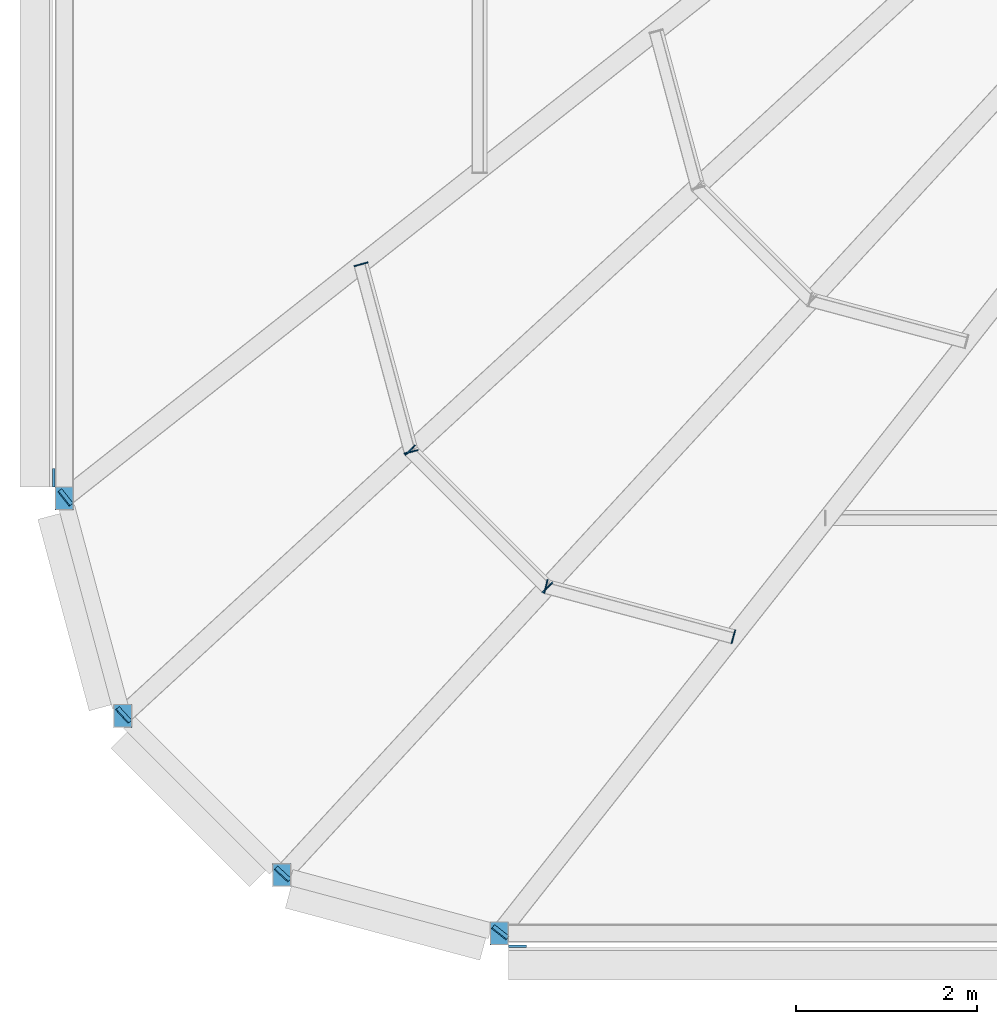
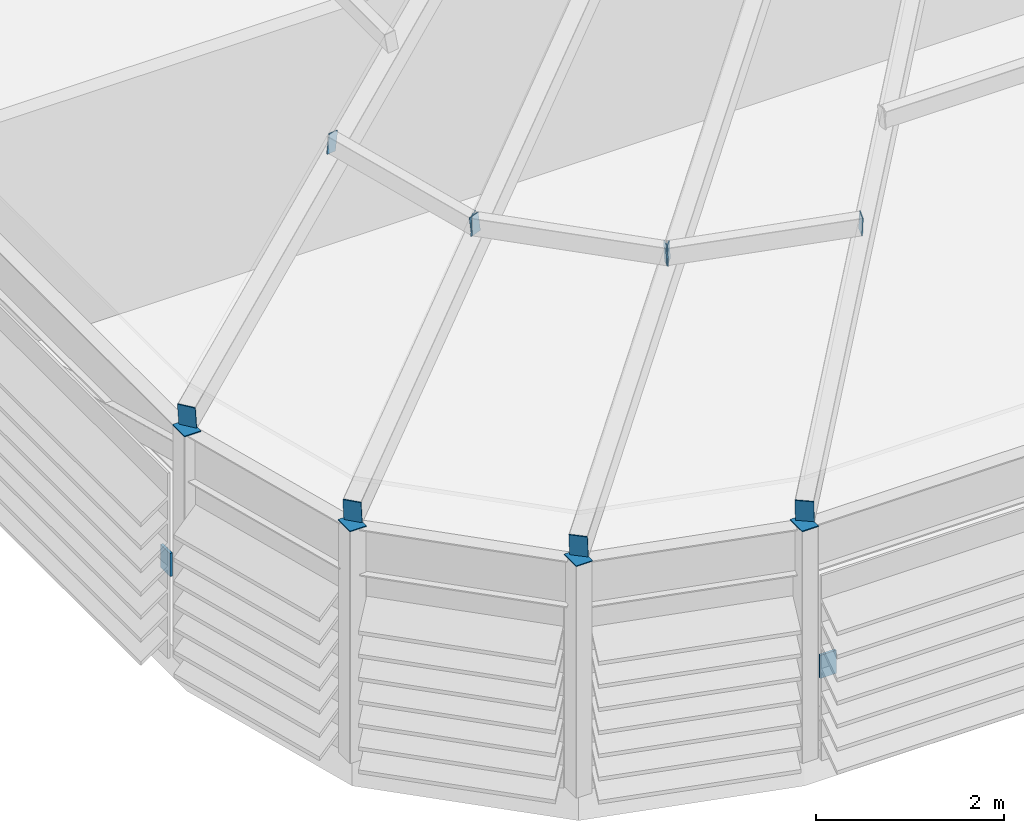
# One storey, part 23 of 46: 16 discrete accessories.
"""IFC4 building model written with IfcOpenShell, lengths in metres."""

from ifc_helpers import new_model, si_unit, direction, frame, origin, origin_2d, place, context, subcontext, project, spatial, rectangle, extrude, material, type_object, element, save


model = new_model("IFC4")

# Units and contexts
model_context = context("Model", 3, precision=1e-05, world=origin(), true_north=direction((0.0, 1.0)))
body_context = subcontext(model_context, "Body", "Model", "MODEL_VIEW")
ifc_project = project(units=[si_unit("LENGTHUNIT", "METRE"), si_unit("AREAUNIT", "SQUARE_METRE"), si_unit("VOLUMEUNIT", "CUBIC_METRE"), si_unit("PLANEANGLEUNIT", "RADIAN"), si_unit("MASSUNIT", "GRAM", prefix="KILO")], contexts=[model_context])

# Site, building, storey
site_placement = place(None, origin())
site = spatial("IfcSite", under=ifc_project, at=site_placement, CompositionType="ELEMENT")
building_placement = place(site_placement, origin())
building = spatial("IfcBuilding", under=site, at=building_placement, Name="Madar Terraces", CompositionType="ELEMENT")
storey_placement = place(building_placement, frame((0.0, 0.0, 317.300048828125)))
storey = spatial("IfcBuildingStorey", under=building, at=storey_placement, Name="L82", CompositionType="ELEMENT", Elevation=317.300048828125)

# Discrete accessories
ifc_material_1 = material(Name="Steel plate ASTM A36, galvanised", Category="steel")
discrete_accessory_type_1 = type_object("IfcDiscreteAccessoryType", Name="Hollow section end plate", PredefinedType="BRACKET", material=ifc_material_1)
for number, where, z_axis, x_axis, name in (
    (1, (6.012939453125, 1.21630859375, 3.149169921875), (-0.613267437123, -0.776805420356, -0.143095735329), (0.784882765533, -0.619644288579, 0.0), "Hollow section end plate"),
    (2, (1.21630859375, 6.012939453125, 3.149169921875), (-0.776805420356, -0.613267437123, -0.143095735329), (0.619644288579, -0.784882765533, 0.0), "Hollow section end plate"),
    (3, (1.85791015625, 3.613525390625, 3.149169921875), (-0.729696417104, -0.668888382345, -0.141885414437), (0.675724628517, -0.737154140201, 0.0), "Hollow section end plate"),
    (4, (3.613525390625, 1.85791015625, 3.149169921875), (-0.668888382345, -0.729696417104, -0.141885414437), (0.737154140201, -0.675724628517, 0.0), "Hollow section end plate"),
):
    element("IfcDiscreteAccessory", number, at=place(storey_placement, frame(where, z_axis=z_axis, x_axis=x_axis)), inside=storey, type_object=discrete_accessory_type_1, Name=name, PredefinedType="BRACKET", context=body_context, shape_type="SweptSolid", body=[
        extrude(rectangle(XDim=0.203125, YDim=0.3046875, at=origin_2d()), origin(), (0.0, 0.0, 1.0), 0.011962890625),
    ])
for number, where, z_axis, x_axis, name in (
    (5, (4.4736328125, 8.575927734375, 3.999755859375), (-0.266586054538, 0.963811120254, 0.0), (-0.95510758435, -0.264178693544, 0.13408624163), "Hollow section end plate"),
    (6, (5.02490234375, 6.518798828125, 3.999755859375), (0.242535625036, -0.970142500145, 0.0), (0.961381789769, 0.240345447442, 0.13408624163), "Hollow section end plate"),
    (7, (5.020263671875, 6.526123046875, 3.999755859375), (-0.707106781187, 0.707106781187, 0.0), (-0.700941463334, -0.700941463334, 0.131765435371), "Hollow section end plate"),
    (8, (6.526123046875, 5.020263671875, 3.999755859375), (0.707106781187, -0.707106781187, 0.0), (0.700941463334, 0.700941463334, 0.131765435371), "Hollow section end plate"),
    (9, (6.518798828125, 5.02490234375, 3.999755859375), (-0.970142500145, 0.242535625036, 0.0), (-0.240345447442, -0.961381789769, 0.13408624163), "Hollow section end plate"),
    (10, (8.575927734375, 4.4736328125, 3.999755859375), (0.963811120254, -0.266586054538, 0.0), (0.264178693544, 0.95510758435, 0.13408624163), "Hollow section end plate"),
):
    element("IfcDiscreteAccessory", number, at=place(storey_placement, frame(where, z_axis=z_axis, x_axis=x_axis)), inside=storey, type_object=discrete_accessory_type_1, Name=name, PredefinedType="BRACKET", context=body_context, shape_type="SweptSolid", body=[
        extrude(rectangle(XDim=0.126953125, YDim=0.25390625, at=origin_2d()), origin(), (0.0, 0.0, 1.0), 0.011962890625),
    ])
for number, where, z_axis, x_axis, name in (
    (11, (6.0, 1.199951171875, 3.0), (0.0, 0.0, 1.0), (1.0, 0.0, 0.0), "Hollow section end plate"),
    (12, (1.199951171875, 6.0, 3.0), (0.0, 0.0, 1.0), (1.0, 0.0, 0.0), "Hollow section end plate"),
    (13, (1.843017578125, 3.60009765625, 3.0), (0.0, 0.0, 1.0), (1.0, 0.0, 0.0), "Hollow section end plate"),
    (14, (3.60009765625, 1.843017578125, 3.0), (0.0, 0.0, 1.0), (1.0, 0.0, 0.0), "Hollow section end plate"),
):
    element("IfcDiscreteAccessory", number, at=place(storey_placement, frame(where, z_axis=z_axis, x_axis=x_axis)), inside=storey, type_object=discrete_accessory_type_1, Name=name, PredefinedType="BRACKET", context=body_context, shape_type="SweptSolid", body=[
        extrude(rectangle(XDim=0.203125, YDim=0.25390625, at=origin_2d()), origin(), (0.0, 0.0, 1.0), 0.011962890625),
    ])
ifc_material_2 = material(Name="Steel, galvanised", Category="steel")
discrete_accessory_type_2 = type_object("IfcDiscreteAccessoryType", Name="Louvre bank bracket", PredefinedType="BRACKET", material=ifc_material_2)
for number, where, z_axis, x_axis, name in (
    (15, (6.20166015625, 1.05810546875, 1.048828125), (0.0, 0.0, 1.0), (1.0, 0.0, 0.0), "Louvre bank bracket"),
    (16, (1.08349609375, 6.22705078125, 1.048828125), (0.0, 0.0, 1.0), (0.0, -1.0, 0.0), "Louvre bank bracket"),
):
    element("IfcDiscreteAccessory", number, at=place(storey_placement, frame(where, z_axis=z_axis, x_axis=x_axis)), inside=storey, type_object=discrete_accessory_type_2, Name=name, PredefinedType="BRACKET", context=body_context, shape_type="SweptSolid", body=[
        extrude(rectangle(XDim=0.199951171875, YDim=0.030029296875, at=origin_2d()), origin(), (0.0, 0.0, 1.0), 0.300048828125),
    ])

save(model, "model.ifc")
